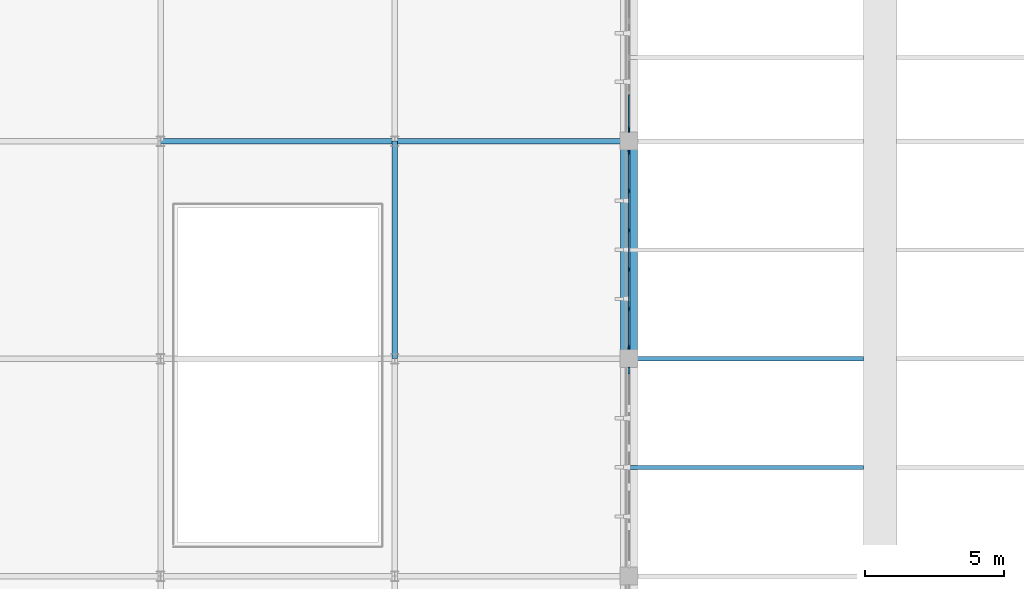
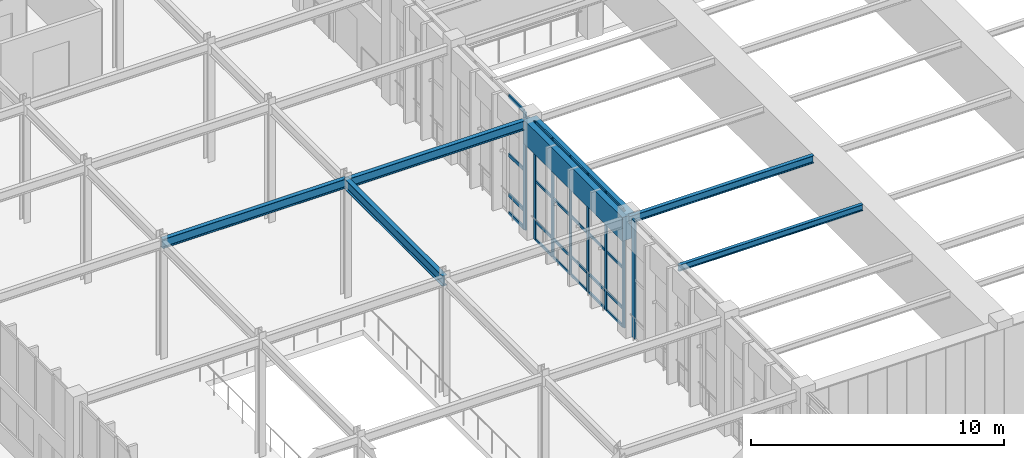
# One storey, part 26 of 105: 32 members, 6 beams, 3 elements without a shape of their own.
"""IFC4 building model written with IfcOpenShell, lengths in metres."""

from ifc_helpers import new_model, si_unit, direction, frame, origin, origin_2d, place, context, subcontext, project, spatial, rectangle, i_section, extrude, material, material_profile, profile_set, type_object, element, aggregate, save


model = new_model("IFC4")

# Units and contexts
model_context = context("Model", 3, precision=1e-05, world=origin(), true_north=direction((0.0, 1.0)))
body_context = subcontext(model_context, "Body", "Model", "MODEL_VIEW")
ifc_project = project(units=[si_unit("LENGTHUNIT", "METRE"), si_unit("AREAUNIT", "SQUARE_METRE"), si_unit("VOLUMEUNIT", "CUBIC_METRE"), si_unit("PLANEANGLEUNIT", "RADIAN"), si_unit("MASSUNIT", "GRAM", prefix="KILO")], contexts=[model_context])

# Site, building, storey
site_placement = place(None, origin())
site = spatial("IfcSite", under=ifc_project, at=site_placement, CompositionType="ELEMENT")
building_placement = place(site_placement, origin())
building = spatial("IfcBuilding", under=site, at=building_placement, Name="Tizgana Railside Sports Hall", CompositionType="ELEMENT")
storey_placement = place(building_placement, frame((0.0, 0.0, 6.0)))
storey = spatial("IfcBuildingStorey", under=building, at=storey_placement, Name="L01", CompositionType="ELEMENT", Elevation=6.0)

# Beam
ifc_material_1 = material(Name="Concrete C40/50", Category="concrete")
ifc_material_profile_1 = material_profile(ifc_material_1, rectangle(XDim=0.60009765625, YDim=1.14990234375, at=origin_2d()), Name="RCB 600x1150")
ifc_profile_set_1 = profile_set([ifc_material_profile_1], Name="Concrete C40/50")
beam_type_1 = type_object("IfcBeamType", Name="Concrete Beam RCB 600x1150", PredefinedType="BEAM", material=ifc_profile_set_1)
beam_1_placement = place(storey_placement, frame((79.800048828125, 54.60009765625, 5.06103515625), z_axis=(0.0, 1.0, 0.0), x_axis=(-1.0, 0.0, 0.0)))
element("IfcBeam", 1, at=beam_1_placement, inside=storey, type_object=beam_type_1, Name="L01 CBG-0003", PredefinedType="BEAM", context=body_context, shape_type="SweptSolid", body=[
    extrude(rectangle(XDim=0.60009765625, YDim=1.14990234375, at=origin_2d()), origin(), (0.0, 0.0, 1.0), 7.7998046875),
])

# Curtain wall, members
ifc_material_2 = material(Name="Anodised aluminium and glass", Category="aluminium")
curtain_wall_type_1 = type_object("IfcCurtainWallType", Name="Unitised Curtain Wall Climbing 1600", PredefinedType="NOTDEFINED", material=ifc_material_2)
curtain_wall_1_placement = place(storey_placement, origin())
curtain_wall_1 = element("IfcCurtainWall", 2, at=curtain_wall_1_placement, inside=storey, type_object=curtain_wall_type_1, Name="L01 Curtain Wall CW-0163", PredefinedType="NOTDEFINED")
ifc_material_3 = material(Name="Anodised aluminium", Category="aluminium")
ifc_material_profile_2 = material_profile(ifc_material_3, rectangle(XDim=0.06005859375, YDim=0.159912109375, at=origin_2d()), Name="Mullion 60x160")
ifc_profile_set_2 = profile_set([ifc_material_profile_2], Name="Anodised aluminium")
member_type_1 = type_object("IfcMemberType", Name="Mullion 60x160", PredefinedType="MULLION", material=ifc_profile_set_2)
member_1_placement = place(storey_placement, frame((79.800048828125, 55.010009765625, 0.0), z_axis=(0.0, 0.0, 1.0), x_axis=(-1.0, 0.0, 0.0)))
member_1 = element("IfcMember", 3, at=member_1_placement, type_object=member_type_1, Name="CW-04 mullion 1", PredefinedType="MULLION", context=body_context, shape_type="SweptSolid", body=[
    extrude(rectangle(XDim=0.06005859375, YDim=0.159912109375, at=origin_2d()), origin(), (0.0, 0.0, 1.0), 5.68994140625),
])
member_2_placement = place(storey_placement, frame((79.800048828125, 56.387939453125, 0.0), z_axis=(0.0, 0.0, 1.0), x_axis=(-1.0, 0.0, 0.0)))
member_2 = element("IfcMember", 4, at=member_2_placement, type_object=member_type_1, Name="CW-04 mullion 2", PredefinedType="MULLION", context=body_context, shape_type="SweptSolid", body=[
    extrude(rectangle(XDim=0.06005859375, YDim=0.159912109375, at=origin_2d()), origin(), (0.0, 0.0, 1.0), 5.68994140625),
])
member_3_placement = place(storey_placement, frame((79.800048828125, 57.7958984375, 0.0), z_axis=(0.0, 0.0, 1.0), x_axis=(-1.0, 0.0, 0.0)))
member_3 = element("IfcMember", 5, at=member_3_placement, type_object=member_type_1, Name="CW-04 mullion 3", PredefinedType="MULLION", context=body_context, shape_type="SweptSolid", body=[
    extrude(rectangle(XDim=0.06005859375, YDim=0.159912109375, at=origin_2d()), origin(), (0.0, 0.0, 1.0), 5.68994140625),
])
member_4_placement = place(storey_placement, frame((79.800048828125, 59.2041015625, 0.0), z_axis=(0.0, 0.0, 1.0), x_axis=(-1.0, 0.0, 0.0)))
member_4 = element("IfcMember", 6, at=member_4_placement, type_object=member_type_1, Name="CW-04 mullion 4", PredefinedType="MULLION", context=body_context, shape_type="SweptSolid", body=[
    extrude(rectangle(XDim=0.06005859375, YDim=0.159912109375, at=origin_2d()), origin(), (0.0, 0.0, 1.0), 5.68994140625),
])
member_5_placement = place(storey_placement, frame((79.800048828125, 60.612060546875, 0.0), z_axis=(0.0, 0.0, 1.0), x_axis=(-1.0, 0.0, 0.0)))
member_5 = element("IfcMember", 7, at=member_5_placement, type_object=member_type_1, Name="CW-04 mullion 5", PredefinedType="MULLION", context=body_context, shape_type="SweptSolid", body=[
    extrude(rectangle(XDim=0.06005859375, YDim=0.159912109375, at=origin_2d()), origin(), (0.0, 0.0, 1.0), 5.68994140625),
])
member_6_placement = place(storey_placement, frame((79.800048828125, 61.989990234375, 0.0), z_axis=(0.0, 0.0, 1.0), x_axis=(-1.0, 0.0, 0.0)))
member_6 = element("IfcMember", 8, at=member_6_placement, type_object=member_type_1, Name="CW-04 mullion 6", PredefinedType="MULLION", context=body_context, shape_type="SweptSolid", body=[
    extrude(rectangle(XDim=0.06005859375, YDim=0.159912109375, at=origin_2d()), origin(), (0.0, 0.0, 1.0), 5.68994140625),
])

# Curtain wall, member
curtain_wall_type_2 = type_object("IfcCurtainWallType", Name="Unitised Curtain Wall Passage 1800", PredefinedType="NOTDEFINED", material=ifc_material_2)
curtain_wall_2_placement = place(storey_placement, origin())
curtain_wall_2 = element("IfcCurtainWall", 9, at=curtain_wall_2_placement, inside=storey, type_object=curtain_wall_type_2, Name="L01 Curtain Wall CW-0165", PredefinedType="NOTDEFINED")
ifc_material_profile_3 = material_profile(ifc_material_3, rectangle(XDim=0.06494140625, YDim=0.199951171875, at=origin_2d()), Name="Mullion 65x200")
ifc_profile_set_3 = profile_set([ifc_material_profile_3], Name="Anodised aluminium")
member_type_2 = type_object("IfcMemberType", Name="Mullion 65x200", PredefinedType="MULLION", material=ifc_profile_set_3)
member_7_placement = place(storey_placement, frame((79.800048828125, 62.8125, 0.0), z_axis=(0.0, 0.0, 1.0), x_axis=(-1.0, 0.0, 0.0)))
member_7 = element("IfcMember", 10, at=member_7_placement, type_object=member_type_2, Name="CW-06 mullion 1", PredefinedType="MULLION", context=body_context, shape_type="SweptSolid", body=[
    extrude(rectangle(XDim=0.06494140625, YDim=0.199951171875, at=origin_2d()), origin(), (0.0, 0.0, 1.0), 5.68994140625),
])

curtain_wall_type_3 = type_object("IfcCurtainWallType", Name="Unitised Curtain Wall Foyer 1300", PredefinedType="NOTDEFINED", material=ifc_material_2)
curtain_wall_3_placement = place(storey_placement, origin())
curtain_wall_3 = element("IfcCurtainWall", 11, at=curtain_wall_3_placement, inside=storey, type_object=curtain_wall_type_3, Name="L01 Curtain Wall CW-0161", PredefinedType="NOTDEFINED")
ifc_material_profile_4 = material_profile(ifc_material_3, rectangle(XDim=0.074951171875, YDim=0.25, at=origin_2d()), Name="Mullion 75x250")
ifc_profile_set_4 = profile_set([ifc_material_profile_4], Name="Anodised aluminium")
member_type_3 = type_object("IfcMemberType", Name="Mullion 75x250", PredefinedType="MULLION", material=ifc_profile_set_4)
member_8_placement = place(storey_placement, frame((79.800048828125, 54.1826171875, 0.0), z_axis=(0.0, 0.0, 1.0), x_axis=(-1.0, 0.0, 0.0)))
member_8 = element("IfcMember", 12, at=member_8_placement, type_object=member_type_3, Name="CW-02 mullion 6", PredefinedType="MULLION", context=body_context, shape_type="SweptSolid", body=[
    extrude(rectangle(XDim=0.074951171875, YDim=0.25, at=origin_2d()), origin(), (0.0, 0.0, 1.0), 5.68994140625),
])
aggregate(curtain_wall_3, [member_8])

# Beams
ifc_material_4 = material(Name="Steel S355J2", Category="steel")
ifc_material_profile_5 = material_profile(ifc_material_4, i_section(OverallWidth=0.18994140625, OverallDepth=0.449951171875, WebThickness=0.009521484375, FlangeThickness=0.0146484375, FilletRadius=0.02099609375, at=origin_2d()), Name="IPE 450")
ifc_profile_set_5 = profile_set([ifc_material_profile_5], Name="Steel S355J2")
beam_type_2 = type_object("IfcBeamType", Name="Steel Beam IPE 450", PredefinedType="BEAM", material=ifc_profile_set_5)
beam_2_placement = place(storey_placement, frame((63.0, 62.39990234375, 5.4609375), z_axis=(1.0, 0.0, 0.0), x_axis=(0.0, 1.0, 0.0)))
element("IfcBeam", 13, at=beam_2_placement, inside=storey, type_object=beam_type_2, Name="L01 BEM-0977", PredefinedType="BEAM", context=body_context, shape_type="SweptSolid", body=[
    extrude(i_section(OverallWidth=0.18994140625, OverallDepth=0.449951171875, WebThickness=0.009521484375, FlangeThickness=0.0146484375, FilletRadius=0.02099609375, at=origin_2d()), origin(), (0.0, 0.0, 1.0), 8.39990234375),
])
beam_3_placement = place(storey_placement, frame((71.39990234375, 62.39990234375, 5.410888671875), z_axis=(1.0, 0.0, 0.0), x_axis=(0.0, 1.0, 0.0)))
element("IfcBeam", 14, at=beam_3_placement, inside=storey, type_object=beam_type_2, Name="L01 BEM-0984", PredefinedType="BEAM", context=body_context, shape_type="SweptSolid", body=[
    extrude(i_section(OverallWidth=0.18994140625, OverallDepth=0.449951171875, WebThickness=0.009521484375, FlangeThickness=0.0146484375, FilletRadius=0.02099609375, at=origin_2d()), origin(), (0.0, 0.0, 1.0), 8.400146484375),
])
ifc_material_profile_6 = material_profile(ifc_material_4, i_section(OverallWidth=0.199951171875, OverallDepth=0.5, WebThickness=0.01025390625, FlangeThickness=0.01611328125, FilletRadius=0.02099609375, at=origin_2d()), Name="IPE 500")
ifc_profile_set_6 = profile_set([ifc_material_profile_6], Name="Steel S355J2")
beam_type_3 = type_object("IfcBeamType", Name="Steel Beam IPE 500", PredefinedType="BEAM", material=ifc_profile_set_6)
beam_4_placement = place(storey_placement, frame((71.39990234375, 54.60009765625, 5.43603515625), z_axis=(0.0, 1.0, 0.0), x_axis=(-1.0, 0.0, 0.0)))
element("IfcBeam", 15, at=beam_4_placement, inside=storey, type_object=beam_type_3, Name="L01 BEM-0962", PredefinedType="BEAM", context=body_context, shape_type="SweptSolid", body=[
    extrude(i_section(OverallWidth=0.199951171875, OverallDepth=0.5, WebThickness=0.01025390625, FlangeThickness=0.01611328125, FilletRadius=0.02099609375, at=origin_2d()), origin(), (0.0, 0.0, 1.0), 7.7998046875),
])
ifc_material_profile_7 = material_profile(ifc_material_4, i_section(OverallWidth=0.14990234375, OverallDepth=0.300048828125, WebThickness=0.007080078125, FlangeThickness=0.0107421875, FilletRadius=0.014892578125, at=origin_2d()), Name="IPE 300")
ifc_profile_set_7 = profile_set([ifc_material_profile_7], Name="Steel S355J2")
beam_type_4 = type_object("IfcBeamType", Name="Steel Joist IPE 300", PredefinedType="JOIST", material=ifc_profile_set_7)
beam_5_placement = place(storey_placement, frame((79.800048828125, 50.699951171875, 5.486083984375), z_axis=(1.0, 0.0, 0.0), x_axis=(0.0, 1.0, 0.0)))
element("IfcBeam", 16, at=beam_5_placement, inside=storey, type_object=beam_type_4, Name="L01 BEM-0269", PredefinedType="JOIST", context=body_context, shape_type="SweptSolid", body=[
    extrude(i_section(OverallWidth=0.14990234375, OverallDepth=0.300048828125, WebThickness=0.007080078125, FlangeThickness=0.0107421875, FilletRadius=0.014892578125, at=origin_2d()), origin(), (0.0, 0.0, 1.0), 8.405029296875),
])
ifc_material_profile_8 = material_profile(ifc_material_4, i_section(OverallWidth=0.169921875, OverallDepth=0.360107421875, WebThickness=0.008056640625, FlangeThickness=0.0126953125, FilletRadius=0.01806640625, at=origin_2d()), Name="IPE 360")
ifc_profile_set_8 = profile_set([ifc_material_profile_8], Name="Steel S355J2")
beam_type_5 = type_object("IfcBeamType", Name="Steel Joist IPE 360", PredefinedType="JOIST", material=ifc_profile_set_8)
beam_6_placement = place(storey_placement, frame((79.800048828125, 54.60009765625, 5.4560546875), z_axis=(1.0, 0.0, 0.0), x_axis=(0.0, 1.0, 0.0)))
element("IfcBeam", 17, at=beam_6_placement, inside=storey, type_object=beam_type_5, Name="L01 BEM-0263", PredefinedType="JOIST", context=body_context, shape_type="SweptSolid", body=[
    extrude(i_section(OverallWidth=0.169921875, OverallDepth=0.360107421875, WebThickness=0.008056640625, FlangeThickness=0.0126953125, FilletRadius=0.01806640625, at=origin_2d()), origin(), (0.0, 0.0, 1.0), 8.405029296875),
])

# Member
ifc_material_profile_9 = material_profile(ifc_material_3, rectangle(XDim=0.06005859375, YDim=0.1298828125, at=origin_2d()), Name="Transom 60x130")
ifc_profile_set_9 = profile_set([ifc_material_profile_9], Name="Anodised aluminium")
member_type_4 = type_object("IfcMemberType", Name="Transom 60x130", PredefinedType="USERDEFINED", material=ifc_profile_set_9)
member_9_placement = place(storey_placement, frame((79.800048828125, 55.0400390625, 0.030029296875), z_axis=(0.0, 1.0, 0.0), x_axis=(-1.0, 0.0, 0.0)))
member_9 = element("IfcMember", 18, at=member_9_placement, type_object=member_type_4, Name="CW-04 transom 1.1", ObjectType="TRANSOM", PredefinedType="USERDEFINED", context=body_context, shape_type="SweptSolid", body=[
    extrude(rectangle(XDim=0.06005859375, YDim=0.1298828125, at=origin_2d()), origin(), (0.0, 0.0, 1.0), 1.31787109375),
])

member_10_placement = place(storey_placement, frame((79.800048828125, 55.0400390625, 0.89990234375), z_axis=(0.0, 1.0, 0.0), x_axis=(-1.0, 0.0, 0.0)))
member_10 = element("IfcMember", 19, at=member_10_placement, type_object=member_type_4, Name="CW-04 transom 1.2", ObjectType="TRANSOM", PredefinedType="USERDEFINED", context=body_context, shape_type="SweptSolid", body=[
    extrude(rectangle(XDim=0.06005859375, YDim=0.1298828125, at=origin_2d()), origin(), (0.0, 0.0, 1.0), 1.31787109375),
])

member_11_placement = place(storey_placement, frame((79.800048828125, 55.0400390625, 2.844970703125), z_axis=(0.0, 1.0, 0.0), x_axis=(-1.0, 0.0, 0.0)))
member_11 = element("IfcMember", 20, at=member_11_placement, type_object=member_type_4, Name="CW-04 transom 1.3", ObjectType="TRANSOM", PredefinedType="USERDEFINED", context=body_context, shape_type="SweptSolid", body=[
    extrude(rectangle(XDim=0.06005859375, YDim=0.1298828125, at=origin_2d()), origin(), (0.0, 0.0, 1.0), 1.31787109375),
])

member_12_placement = place(storey_placement, frame((79.800048828125, 55.0400390625, 5.659912109375), z_axis=(0.0, 1.0, 0.0), x_axis=(-1.0, 0.0, 0.0)))
member_12 = element("IfcMember", 21, at=member_12_placement, type_object=member_type_4, Name="CW-04 transom 1.4", ObjectType="TRANSOM", PredefinedType="USERDEFINED", context=body_context, shape_type="SweptSolid", body=[
    extrude(rectangle(XDim=0.06005859375, YDim=0.1298828125, at=origin_2d()), origin(), (0.0, 0.0, 1.0), 1.31787109375),
])

member_13_placement = place(storey_placement, frame((79.800048828125, 56.41796875, 0.030029296875), z_axis=(0.0, 1.0, 0.0), x_axis=(-1.0, 0.0, 0.0)))
member_13 = element("IfcMember", 22, at=member_13_placement, type_object=member_type_4, Name="CW-04 transom 2.1", ObjectType="TRANSOM", PredefinedType="USERDEFINED", context=body_context, shape_type="SweptSolid", body=[
    extrude(rectangle(XDim=0.06005859375, YDim=0.1298828125, at=origin_2d()), origin(), (0.0, 0.0, 1.0), 1.34814453125),
])

member_14_placement = place(storey_placement, frame((79.800048828125, 56.41796875, 0.89990234375), z_axis=(0.0, 1.0, 0.0), x_axis=(-1.0, 0.0, 0.0)))
member_14 = element("IfcMember", 23, at=member_14_placement, type_object=member_type_4, Name="CW-04 transom 2.2", ObjectType="TRANSOM", PredefinedType="USERDEFINED", context=body_context, shape_type="SweptSolid", body=[
    extrude(rectangle(XDim=0.06005859375, YDim=0.1298828125, at=origin_2d()), origin(), (0.0, 0.0, 1.0), 1.34814453125),
])

member_15_placement = place(storey_placement, frame((79.800048828125, 56.41796875, 2.844970703125), z_axis=(0.0, 1.0, 0.0), x_axis=(-1.0, 0.0, 0.0)))
member_15 = element("IfcMember", 24, at=member_15_placement, type_object=member_type_4, Name="CW-04 transom 2.3", ObjectType="TRANSOM", PredefinedType="USERDEFINED", context=body_context, shape_type="SweptSolid", body=[
    extrude(rectangle(XDim=0.06005859375, YDim=0.1298828125, at=origin_2d()), origin(), (0.0, 0.0, 1.0), 1.34814453125),
])

member_16_placement = place(storey_placement, frame((79.800048828125, 56.41796875, 5.659912109375), z_axis=(0.0, 1.0, 0.0), x_axis=(-1.0, 0.0, 0.0)))
member_16 = element("IfcMember", 25, at=member_16_placement, type_object=member_type_4, Name="CW-04 transom 2.4", ObjectType="TRANSOM", PredefinedType="USERDEFINED", context=body_context, shape_type="SweptSolid", body=[
    extrude(rectangle(XDim=0.06005859375, YDim=0.1298828125, at=origin_2d()), origin(), (0.0, 0.0, 1.0), 1.34814453125),
])

member_17_placement = place(storey_placement, frame((79.800048828125, 57.825927734375, 0.030029296875), z_axis=(0.0, 1.0, 0.0), x_axis=(-1.0, 0.0, 0.0)))
member_17 = element("IfcMember", 26, at=member_17_placement, type_object=member_type_4, Name="CW-04 transom 3.1", ObjectType="TRANSOM", PredefinedType="USERDEFINED", context=body_context, shape_type="SweptSolid", body=[
    extrude(rectangle(XDim=0.06005859375, YDim=0.1298828125, at=origin_2d()), origin(), (0.0, 0.0, 1.0), 1.34814453125),
])

member_18_placement = place(storey_placement, frame((79.800048828125, 57.825927734375, 0.89990234375), z_axis=(0.0, 1.0, 0.0), x_axis=(-1.0, 0.0, 0.0)))
member_18 = element("IfcMember", 27, at=member_18_placement, type_object=member_type_4, Name="CW-04 transom 3.2", ObjectType="TRANSOM", PredefinedType="USERDEFINED", context=body_context, shape_type="SweptSolid", body=[
    extrude(rectangle(XDim=0.06005859375, YDim=0.1298828125, at=origin_2d()), origin(), (0.0, 0.0, 1.0), 1.34814453125),
])

member_19_placement = place(storey_placement, frame((79.800048828125, 57.825927734375, 2.844970703125), z_axis=(0.0, 1.0, 0.0), x_axis=(-1.0, 0.0, 0.0)))
member_19 = element("IfcMember", 28, at=member_19_placement, type_object=member_type_4, Name="CW-04 transom 3.3", ObjectType="TRANSOM", PredefinedType="USERDEFINED", context=body_context, shape_type="SweptSolid", body=[
    extrude(rectangle(XDim=0.06005859375, YDim=0.1298828125, at=origin_2d()), origin(), (0.0, 0.0, 1.0), 1.34814453125),
])

member_20_placement = place(storey_placement, frame((79.800048828125, 57.825927734375, 5.659912109375), z_axis=(0.0, 1.0, 0.0), x_axis=(-1.0, 0.0, 0.0)))
member_20 = element("IfcMember", 29, at=member_20_placement, type_object=member_type_4, Name="CW-04 transom 3.4", ObjectType="TRANSOM", PredefinedType="USERDEFINED", context=body_context, shape_type="SweptSolid", body=[
    extrude(rectangle(XDim=0.06005859375, YDim=0.1298828125, at=origin_2d()), origin(), (0.0, 0.0, 1.0), 1.34814453125),
])

member_21_placement = place(storey_placement, frame((79.800048828125, 59.23388671875, 0.030029296875), z_axis=(0.0, 1.0, 0.0), x_axis=(-1.0, 0.0, 0.0)))
member_21 = element("IfcMember", 30, at=member_21_placement, type_object=member_type_4, Name="CW-04 transom 4.1", ObjectType="TRANSOM", PredefinedType="USERDEFINED", context=body_context, shape_type="SweptSolid", body=[
    extrude(rectangle(XDim=0.06005859375, YDim=0.1298828125, at=origin_2d()), origin(), (0.0, 0.0, 1.0), 1.34814453125),
])

member_22_placement = place(storey_placement, frame((79.800048828125, 59.23388671875, 0.89990234375), z_axis=(0.0, 1.0, 0.0), x_axis=(-1.0, 0.0, 0.0)))
member_22 = element("IfcMember", 31, at=member_22_placement, type_object=member_type_4, Name="CW-04 transom 4.2", ObjectType="TRANSOM", PredefinedType="USERDEFINED", context=body_context, shape_type="SweptSolid", body=[
    extrude(rectangle(XDim=0.06005859375, YDim=0.1298828125, at=origin_2d()), origin(), (0.0, 0.0, 1.0), 1.34814453125),
])

member_23_placement = place(storey_placement, frame((79.800048828125, 59.23388671875, 2.844970703125), z_axis=(0.0, 1.0, 0.0), x_axis=(-1.0, 0.0, 0.0)))
member_23 = element("IfcMember", 32, at=member_23_placement, type_object=member_type_4, Name="CW-04 transom 4.3", ObjectType="TRANSOM", PredefinedType="USERDEFINED", context=body_context, shape_type="SweptSolid", body=[
    extrude(rectangle(XDim=0.06005859375, YDim=0.1298828125, at=origin_2d()), origin(), (0.0, 0.0, 1.0), 1.34814453125),
])

member_24_placement = place(storey_placement, frame((79.800048828125, 59.23388671875, 5.659912109375), z_axis=(0.0, 1.0, 0.0), x_axis=(-1.0, 0.0, 0.0)))
member_24 = element("IfcMember", 33, at=member_24_placement, type_object=member_type_4, Name="CW-04 transom 4.4", ObjectType="TRANSOM", PredefinedType="USERDEFINED", context=body_context, shape_type="SweptSolid", body=[
    extrude(rectangle(XDim=0.06005859375, YDim=0.1298828125, at=origin_2d()), origin(), (0.0, 0.0, 1.0), 1.34814453125),
])

member_25_placement = place(storey_placement, frame((79.800048828125, 60.64208984375, 0.030029296875), z_axis=(0.0, 1.0, 0.0), x_axis=(-1.0, 0.0, 0.0)))
member_25 = element("IfcMember", 34, at=member_25_placement, type_object=member_type_4, Name="CW-04 transom 5.1", ObjectType="TRANSOM", PredefinedType="USERDEFINED", context=body_context, shape_type="SweptSolid", body=[
    extrude(rectangle(XDim=0.06005859375, YDim=0.1298828125, at=origin_2d()), origin(), (0.0, 0.0, 1.0), 1.31787109375),
])

member_26_placement = place(storey_placement, frame((79.800048828125, 60.64208984375, 0.89990234375), z_axis=(0.0, 1.0, 0.0), x_axis=(-1.0, 0.0, 0.0)))
member_26 = element("IfcMember", 35, at=member_26_placement, type_object=member_type_4, Name="CW-04 transom 5.2", ObjectType="TRANSOM", PredefinedType="USERDEFINED", context=body_context, shape_type="SweptSolid", body=[
    extrude(rectangle(XDim=0.06005859375, YDim=0.1298828125, at=origin_2d()), origin(), (0.0, 0.0, 1.0), 1.31787109375),
])

member_27_placement = place(storey_placement, frame((79.800048828125, 60.64208984375, 2.844970703125), z_axis=(0.0, 1.0, 0.0), x_axis=(-1.0, 0.0, 0.0)))
member_27 = element("IfcMember", 36, at=member_27_placement, type_object=member_type_4, Name="CW-04 transom 5.3", ObjectType="TRANSOM", PredefinedType="USERDEFINED", context=body_context, shape_type="SweptSolid", body=[
    extrude(rectangle(XDim=0.06005859375, YDim=0.1298828125, at=origin_2d()), origin(), (0.0, 0.0, 1.0), 1.31787109375),
])

member_28_placement = place(storey_placement, frame((79.800048828125, 60.64208984375, 5.659912109375), z_axis=(0.0, 1.0, 0.0), x_axis=(-1.0, 0.0, 0.0)))
member_28 = element("IfcMember", 37, at=member_28_placement, type_object=member_type_4, Name="CW-04 transom 5.4", ObjectType="TRANSOM", PredefinedType="USERDEFINED", context=body_context, shape_type="SweptSolid", body=[
    extrude(rectangle(XDim=0.06005859375, YDim=0.1298828125, at=origin_2d()), origin(), (0.0, 0.0, 1.0), 1.31787109375),
])

aggregate(curtain_wall_1, [member_1, member_2, member_3, member_4, member_5, member_6, member_9, member_10, member_11, member_12, member_13, member_14, member_15, member_16, member_17, member_18, member_19, member_20, member_21, member_22, member_23, member_24, member_25, member_26, member_27, member_28])

ifc_material_profile_10 = material_profile(ifc_material_3, rectangle(XDim=0.06494140625, YDim=0.169921875, at=origin_2d()), Name="Transom 65x170")
ifc_profile_set_10 = profile_set([ifc_material_profile_10], Name="Anodised aluminium")
member_type_5 = type_object("IfcMemberType", Name="Transom 65x170", PredefinedType="USERDEFINED", material=ifc_profile_set_10)
member_29_placement = place(storey_placement, frame((79.800048828125, 62.844970703125, 0.032470703125), z_axis=(0.0, 1.0, 0.0), x_axis=(-1.0, 0.0, 0.0)))
member_29 = element("IfcMember", 38, at=member_29_placement, type_object=member_type_5, Name="CW-06 transom 1.1", ObjectType="TRANSOM", PredefinedType="USERDEFINED", context=body_context, shape_type="SweptSolid", body=[
    extrude(rectangle(XDim=0.06494140625, YDim=0.169921875, at=origin_2d()), origin(), (0.0, 0.0, 1.0), 1.212646484375),
])

member_30_placement = place(storey_placement, frame((79.800048828125, 62.844970703125, 0.89990234375), z_axis=(0.0, 1.0, 0.0), x_axis=(-1.0, 0.0, 0.0)))
member_30 = element("IfcMember", 39, at=member_30_placement, type_object=member_type_5, Name="CW-06 transom 1.2", ObjectType="TRANSOM", PredefinedType="USERDEFINED", context=body_context, shape_type="SweptSolid", body=[
    extrude(rectangle(XDim=0.06494140625, YDim=0.169921875, at=origin_2d()), origin(), (0.0, 0.0, 1.0), 1.212646484375),
])

member_31_placement = place(storey_placement, frame((79.800048828125, 62.844970703125, 2.844970703125), z_axis=(0.0, 1.0, 0.0), x_axis=(-1.0, 0.0, 0.0)))
member_31 = element("IfcMember", 40, at=member_31_placement, type_object=member_type_5, Name="CW-06 transom 1.3", ObjectType="TRANSOM", PredefinedType="USERDEFINED", context=body_context, shape_type="SweptSolid", body=[
    extrude(rectangle(XDim=0.06494140625, YDim=0.169921875, at=origin_2d()), origin(), (0.0, 0.0, 1.0), 1.212646484375),
])

member_32_placement = place(storey_placement, frame((79.800048828125, 62.844970703125, 5.657470703125), z_axis=(0.0, 1.0, 0.0), x_axis=(-1.0, 0.0, 0.0)))
member_32 = element("IfcMember", 41, at=member_32_placement, type_object=member_type_5, Name="CW-06 transom 1.4", ObjectType="TRANSOM", PredefinedType="USERDEFINED", context=body_context, shape_type="SweptSolid", body=[
    extrude(rectangle(XDim=0.06494140625, YDim=0.169921875, at=origin_2d()), origin(), (0.0, 0.0, 1.0), 1.212646484375),
])

aggregate(curtain_wall_2, [member_7, member_29, member_30, member_31, member_32])

save(model, "model.ifc")
